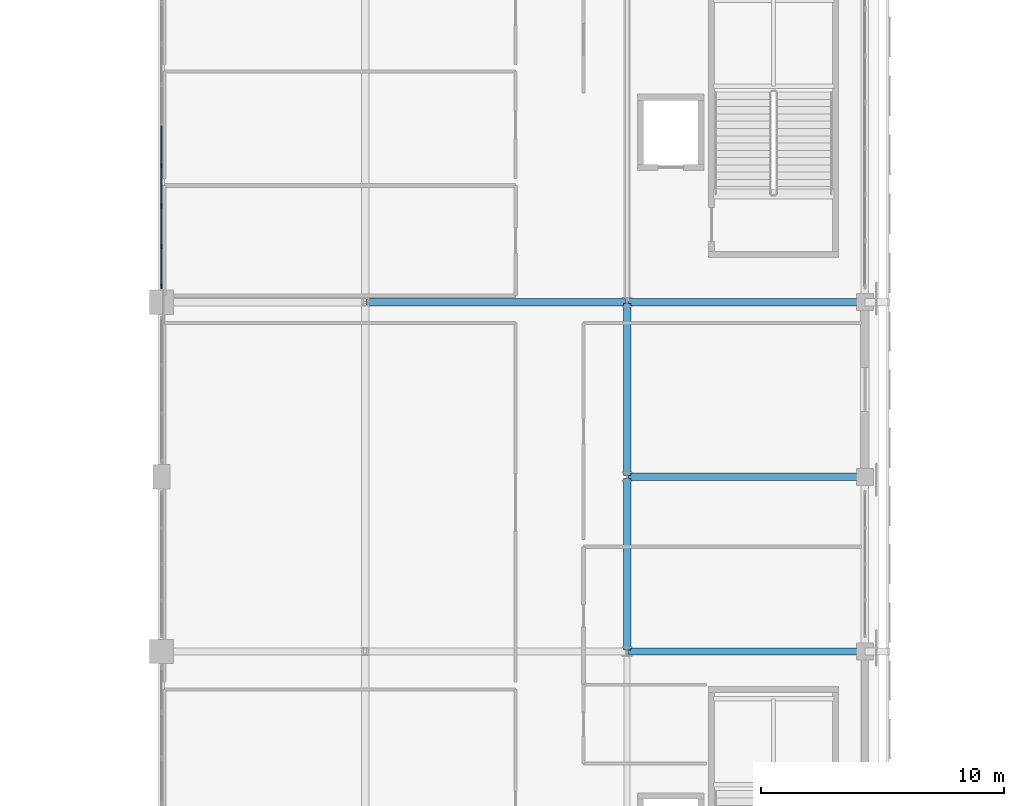
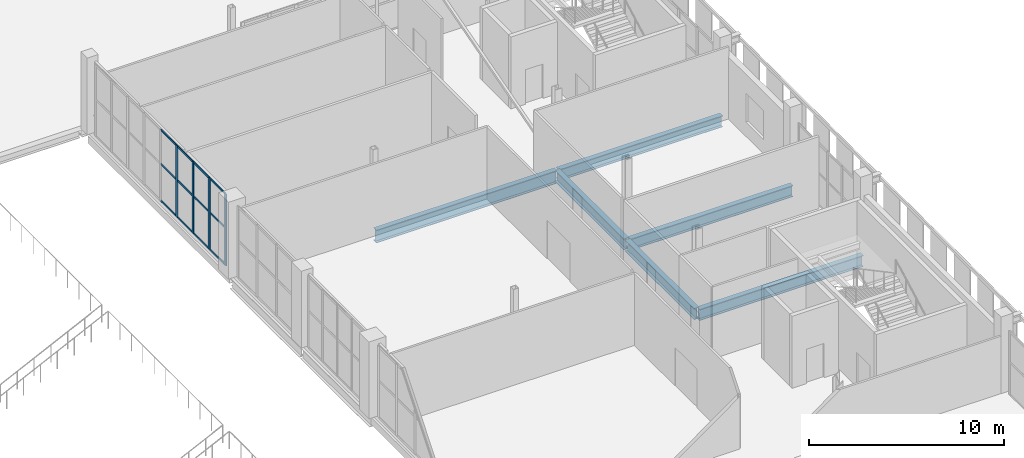
# One storey, part 46 of 104: 16 members, 6 beams, 1 element without a shape of its own.
"""IFC4 building model written with IfcOpenShell, lengths in metres."""

from ifc_helpers import new_model, si_unit, direction, frame, origin, origin_2d, place, context, subcontext, project, spatial, rectangle, i_section, extrude, material, material_profile, profile_set, type_object, element, aggregate, save


model = new_model("IFC4")

# Units and contexts
model_context = context("Model", 3, precision=1e-05, world=origin(), true_north=direction((0.0, 1.0)))
body_context = subcontext(model_context, "Body", "Model", "MODEL_VIEW")
ifc_project = project(units=[si_unit("LENGTHUNIT", "METRE"), si_unit("AREAUNIT", "SQUARE_METRE"), si_unit("VOLUMEUNIT", "CUBIC_METRE"), si_unit("PLANEANGLEUNIT", "RADIAN"), si_unit("MASSUNIT", "GRAM", prefix="KILO")], contexts=[model_context])

# Site, building, storey
site_placement = place(None, origin())
site = spatial("IfcSite", under=ifc_project, at=site_placement, CompositionType="ELEMENT")
building_placement = place(site_placement, origin())
building = spatial("IfcBuilding", under=site, at=building_placement, Name="Koshinbarg Plaza Stadium", CompositionType="ELEMENT")
storey_placement = place(building_placement, frame((0.0, 0.0, 19.800048828125)))
storey = spatial("IfcBuildingStorey", under=building, at=storey_placement, Name="L04", CompositionType="ELEMENT", Elevation=19.800048828125)

# Beams
ifc_material_1 = material(Name="Steel S355", Category="steel")
ifc_material_profile_1 = material_profile(ifc_material_1, i_section(OverallWidth=0.300048828125, OverallDepth=0.699951171875, WebThickness=0.01708984375, FlangeThickness=0.031982421875, at=origin_2d()), Name="HEB 700")
ifc_profile_set_1 = profile_set([ifc_material_profile_1], Name="Steel S355")
beam_type_1 = type_object("IfcBeamType", Name="BM-SGIR-03", PredefinedType="USERDEFINED", material=ifc_profile_set_1)
for number, where, z_axis, x_axis, name in (
    (1, (208.659912109375, 97.5, -0.650146484375), (1.0, 0.0, 0.0), (0.0, 1.0, 0.0), "L04 X girder N/20-21"),
    (2, (208.659912109375, 104.699951171875, -0.650146484375), (1.0, 0.0, 0.0), (0.0, 1.0, 0.0), "L04 X girder P/20-21"),
    (3, (208.659912109375, 111.89990234375, -0.650146484375), (1.0, 0.0, 0.0), (0.0, 1.0, 0.0), "L04 X girder Q/20-21"),
):
    element("IfcBeam", number, at=place(storey_placement, frame(where, z_axis=z_axis, x_axis=x_axis)), inside=storey, type_object=beam_type_1, Name=name, ObjectType="GIRDER", PredefinedType="USERDEFINED", context=body_context, shape_type="SweptSolid", body=[
        extrude(i_section(OverallWidth=0.300048828125, OverallDepth=0.699951171875, WebThickness=0.01708984375, FlangeThickness=0.031982421875, at=origin_2d()), origin(), (0.0, 0.0, 1.0), 9.68017578125),
    ])
beam_1_placement = place(storey_placement, frame((208.60009765625, 97.56005859375, -0.650146484375), z_axis=(0.0, 1.0, 0.0), x_axis=(-1.0, 0.0, 0.0)))
element("IfcBeam", 4, at=beam_1_placement, inside=storey, type_object=beam_type_1, Name="L04 Y girder 20/N-P", ObjectType="GIRDER", PredefinedType="USERDEFINED", context=body_context, shape_type="SweptSolid", body=[
    extrude(i_section(OverallWidth=0.300048828125, OverallDepth=0.699951171875, WebThickness=0.01708984375, FlangeThickness=0.031982421875, at=origin_2d()), origin(), (0.0, 0.0, 1.0), 7.079833984375),
])
beam_2_placement = place(storey_placement, frame((208.60009765625, 104.760009765625, -0.650146484375), z_axis=(0.0, 1.0, 0.0), x_axis=(-1.0, 0.0, 0.0)))
element("IfcBeam", 5, at=beam_2_placement, inside=storey, type_object=beam_type_1, Name="L04 Y girder 20/P-Q", ObjectType="GIRDER", PredefinedType="USERDEFINED", context=body_context, shape_type="SweptSolid", body=[
    extrude(i_section(OverallWidth=0.300048828125, OverallDepth=0.699951171875, WebThickness=0.01708984375, FlangeThickness=0.031982421875, at=origin_2d()), origin(), (0.0, 0.0, 1.0), 7.080078125),
])
ifc_material_profile_2 = material_profile(ifc_material_1, i_section(OverallWidth=0.300048828125, OverallDepth=0.800048828125, WebThickness=0.017578125, FlangeThickness=0.032958984375, at=origin_2d()), Name="HEB 800")
ifc_profile_set_2 = profile_set([ifc_material_profile_2], Name="Steel S355")
beam_type_2 = type_object("IfcBeamType", Name="BM-SGIR-04", PredefinedType="USERDEFINED", material=ifc_profile_set_2)
beam_3_placement = place(storey_placement, frame((197.860107421875, 111.89990234375, -0.699951171875), z_axis=(1.0, 0.0, 0.0), x_axis=(0.0, 1.0, 0.0)))
element("IfcBeam", 6, at=beam_3_placement, inside=storey, type_object=beam_type_2, Name="L04 X girder Q/19-20", ObjectType="GIRDER", PredefinedType="USERDEFINED", context=body_context, shape_type="SweptSolid", body=[
    extrude(i_section(OverallWidth=0.300048828125, OverallDepth=0.800048828125, WebThickness=0.017578125, FlangeThickness=0.032958984375, at=origin_2d()), origin(), (0.0, 0.0, 1.0), 10.679931640625),
])

# Curtain wall, members
ifc_material_2 = material(Name="Thermally broken anodised aluminium and low-E double glazing", Category="aluminium")
curtain_wall_type = type_object("IfcCurtainWallType", Name="CW-SYS-03", PredefinedType="NOTDEFINED", material=ifc_material_2)
curtain_wall_placement = place(storey_placement, origin())
curtain_wall = element("IfcCurtainWall", 7, at=curtain_wall_placement, inside=storey, type_object=curtain_wall_type, Name="L04 unitised curtain wall CW-L04-130", PredefinedType="NOTDEFINED")
ifc_material_3 = material(Name="Anodised aluminium mullion", Category="aluminium")
ifc_material_profile_3 = material_profile(ifc_material_3, rectangle(XDim=0.070068359375, YDim=0.179931640625, at=origin_2d()), Name="ALU 70x180")
ifc_profile_set_3 = profile_set([ifc_material_profile_3], Name="Anodised aluminium mullion")
member_type_1 = type_object("IfcMemberType", Name="CW-MUL-03", PredefinedType="MULLION", material=ifc_profile_set_3)
member_1_placement = place(storey_placement, frame((189.39990234375, 112.550048828125, 0.0), z_axis=(0.0, 0.0, 1.0), x_axis=(-1.0, 0.0, 0.0)))
member_1 = element("IfcMember", 8, at=member_1_placement, type_object=member_type_1, Name="CW03 mullion 1", PredefinedType="MULLION", context=body_context, shape_type="SweptSolid", body=[
    extrude(rectangle(XDim=0.070068359375, YDim=0.179931640625, at=origin_2d()), origin(), (0.0, 0.0, 1.0), 4.47998046875),
])
member_2_placement = place(storey_placement, frame((189.39990234375, 114.18994140625, 0.0), z_axis=(0.0, 0.0, 1.0), x_axis=(-1.0, 0.0, 0.0)))
member_2 = element("IfcMember", 9, at=member_2_placement, type_object=member_type_1, Name="CW03 mullion 2", PredefinedType="MULLION", context=body_context, shape_type="SweptSolid", body=[
    extrude(rectangle(XDim=0.070068359375, YDim=0.179931640625, at=origin_2d()), origin(), (0.0, 0.0, 1.0), 4.47998046875),
])
member_3_placement = place(storey_placement, frame((189.39990234375, 115.860107421875, 0.0), z_axis=(0.0, 0.0, 1.0), x_axis=(-1.0, 0.0, 0.0)))
member_3 = element("IfcMember", 10, at=member_3_placement, type_object=member_type_1, Name="CW03 mullion 3", PredefinedType="MULLION", context=body_context, shape_type="SweptSolid", body=[
    extrude(rectangle(XDim=0.070068359375, YDim=0.179931640625, at=origin_2d()), origin(), (0.0, 0.0, 1.0), 4.47998046875),
])
member_4_placement = place(storey_placement, frame((189.39990234375, 117.530029296875, 0.0), z_axis=(0.0, 0.0, 1.0), x_axis=(-1.0, 0.0, 0.0)))
member_4 = element("IfcMember", 11, at=member_4_placement, type_object=member_type_1, Name="CW03 mullion 4", PredefinedType="MULLION", context=body_context, shape_type="SweptSolid", body=[
    extrude(rectangle(XDim=0.070068359375, YDim=0.179931640625, at=origin_2d()), origin(), (0.0, 0.0, 1.0), 4.47998046875),
])
ifc_material_4 = material(Name="Anodised aluminium transom", Category="aluminium")
ifc_material_profile_4 = material_profile(ifc_material_4, rectangle(XDim=0.06005859375, YDim=0.110107421875, at=origin_2d()), Name="ALU 60x110")
ifc_profile_set_4 = profile_set([ifc_material_profile_4], Name="Anodised aluminium transom")
member_type_2 = type_object("IfcMemberType", Name="CW-TRN-01", PredefinedType="USERDEFINED", material=ifc_profile_set_4)
member_5_placement = place(storey_placement, frame((189.39990234375, 112.580078125, 0.030029296875), z_axis=(0.0, 1.0, 0.0), x_axis=(-1.0, 0.0, 0.0)))
member_5 = element("IfcMember", 12, at=member_5_placement, type_object=member_type_2, Name="CW03 transom 1.1", ObjectType="TRANSOM", PredefinedType="USERDEFINED", context=body_context, shape_type="SweptSolid", body=[
    extrude(rectangle(XDim=0.06005859375, YDim=0.110107421875, at=origin_2d()), origin(), (0.0, 0.0, 1.0), 1.579833984375),
])
member_6_placement = place(storey_placement, frame((189.39990234375, 112.580078125, 2.32958984375), z_axis=(0.0, 1.0, 0.0), x_axis=(-1.0, 0.0, 0.0)))
member_6 = element("IfcMember", 13, at=member_6_placement, type_object=member_type_2, Name="CW03 transom 1.2", ObjectType="TRANSOM", PredefinedType="USERDEFINED", context=body_context, shape_type="SweptSolid", body=[
    extrude(rectangle(XDim=0.06005859375, YDim=0.110107421875, at=origin_2d()), origin(), (0.0, 0.0, 1.0), 1.579833984375),
])
member_7_placement = place(storey_placement, frame((189.39990234375, 112.580078125, 4.449951171875), z_axis=(0.0, 1.0, 0.0), x_axis=(-1.0, 0.0, 0.0)))
member_7 = element("IfcMember", 14, at=member_7_placement, type_object=member_type_2, Name="CW03 transom 1.3", ObjectType="TRANSOM", PredefinedType="USERDEFINED", context=body_context, shape_type="SweptSolid", body=[
    extrude(rectangle(XDim=0.06005859375, YDim=0.110107421875, at=origin_2d()), origin(), (0.0, 0.0, 1.0), 1.579833984375),
])
member_8_placement = place(storey_placement, frame((189.39990234375, 114.219970703125, 0.030029296875), z_axis=(0.0, 1.0, 0.0), x_axis=(-1.0, 0.0, 0.0)))
member_8 = element("IfcMember", 15, at=member_8_placement, type_object=member_type_2, Name="CW03 transom 2.1", ObjectType="TRANSOM", PredefinedType="USERDEFINED", context=body_context, shape_type="SweptSolid", body=[
    extrude(rectangle(XDim=0.06005859375, YDim=0.110107421875, at=origin_2d()), origin(), (0.0, 0.0, 1.0), 1.610107421875),
])
member_9_placement = place(storey_placement, frame((189.39990234375, 114.219970703125, 2.32958984375), z_axis=(0.0, 1.0, 0.0), x_axis=(-1.0, 0.0, 0.0)))
member_9 = element("IfcMember", 16, at=member_9_placement, type_object=member_type_2, Name="CW03 transom 2.2", ObjectType="TRANSOM", PredefinedType="USERDEFINED", context=body_context, shape_type="SweptSolid", body=[
    extrude(rectangle(XDim=0.06005859375, YDim=0.110107421875, at=origin_2d()), origin(), (0.0, 0.0, 1.0), 1.610107421875),
])
member_10_placement = place(storey_placement, frame((189.39990234375, 114.219970703125, 4.449951171875), z_axis=(0.0, 1.0, 0.0), x_axis=(-1.0, 0.0, 0.0)))
member_10 = element("IfcMember", 17, at=member_10_placement, type_object=member_type_2, Name="CW03 transom 2.3", ObjectType="TRANSOM", PredefinedType="USERDEFINED", context=body_context, shape_type="SweptSolid", body=[
    extrude(rectangle(XDim=0.06005859375, YDim=0.110107421875, at=origin_2d()), origin(), (0.0, 0.0, 1.0), 1.610107421875),
])
member_11_placement = place(storey_placement, frame((189.39990234375, 115.889892578125, 0.030029296875), z_axis=(0.0, 1.0, 0.0), x_axis=(-1.0, 0.0, 0.0)))
member_11 = element("IfcMember", 18, at=member_11_placement, type_object=member_type_2, Name="CW03 transom 3.1", ObjectType="TRANSOM", PredefinedType="USERDEFINED", context=body_context, shape_type="SweptSolid", body=[
    extrude(rectangle(XDim=0.06005859375, YDim=0.110107421875, at=origin_2d()), origin(), (0.0, 0.0, 1.0), 1.610107421875),
])
member_12_placement = place(storey_placement, frame((189.39990234375, 115.889892578125, 2.32958984375), z_axis=(0.0, 1.0, 0.0), x_axis=(-1.0, 0.0, 0.0)))
member_12 = element("IfcMember", 19, at=member_12_placement, type_object=member_type_2, Name="CW03 transom 3.2", ObjectType="TRANSOM", PredefinedType="USERDEFINED", context=body_context, shape_type="SweptSolid", body=[
    extrude(rectangle(XDim=0.06005859375, YDim=0.110107421875, at=origin_2d()), origin(), (0.0, 0.0, 1.0), 1.610107421875),
])
member_13_placement = place(storey_placement, frame((189.39990234375, 115.889892578125, 4.449951171875), z_axis=(0.0, 1.0, 0.0), x_axis=(-1.0, 0.0, 0.0)))
member_13 = element("IfcMember", 20, at=member_13_placement, type_object=member_type_2, Name="CW03 transom 3.3", ObjectType="TRANSOM", PredefinedType="USERDEFINED", context=body_context, shape_type="SweptSolid", body=[
    extrude(rectangle(XDim=0.06005859375, YDim=0.110107421875, at=origin_2d()), origin(), (0.0, 0.0, 1.0), 1.610107421875),
])
member_14_placement = place(storey_placement, frame((189.39990234375, 117.56005859375, 0.030029296875), z_axis=(0.0, 1.0, 0.0), x_axis=(-1.0, 0.0, 0.0)))
member_14 = element("IfcMember", 21, at=member_14_placement, type_object=member_type_2, Name="CW03 transom 4.1", ObjectType="TRANSOM", PredefinedType="USERDEFINED", context=body_context, shape_type="SweptSolid", body=[
    extrude(rectangle(XDim=0.06005859375, YDim=0.110107421875, at=origin_2d()), origin(), (0.0, 0.0, 1.0), 1.60986328125),
])
member_15_placement = place(storey_placement, frame((189.39990234375, 117.56005859375, 2.32958984375), z_axis=(0.0, 1.0, 0.0), x_axis=(-1.0, 0.0, 0.0)))
member_15 = element("IfcMember", 22, at=member_15_placement, type_object=member_type_2, Name="CW03 transom 4.2", ObjectType="TRANSOM", PredefinedType="USERDEFINED", context=body_context, shape_type="SweptSolid", body=[
    extrude(rectangle(XDim=0.06005859375, YDim=0.110107421875, at=origin_2d()), origin(), (0.0, 0.0, 1.0), 1.60986328125),
])
member_16_placement = place(storey_placement, frame((189.39990234375, 117.56005859375, 4.449951171875), z_axis=(0.0, 1.0, 0.0), x_axis=(-1.0, 0.0, 0.0)))
member_16 = element("IfcMember", 23, at=member_16_placement, type_object=member_type_2, Name="CW03 transom 4.3", ObjectType="TRANSOM", PredefinedType="USERDEFINED", context=body_context, shape_type="SweptSolid", body=[
    extrude(rectangle(XDim=0.06005859375, YDim=0.110107421875, at=origin_2d()), origin(), (0.0, 0.0, 1.0), 1.60986328125),
])
aggregate(curtain_wall, [member_1, member_2, member_3, member_4, member_5, member_6, member_7, member_8, member_9, member_10, member_11, member_12, member_13, member_14, member_15, member_16])

save(model, "model.ifc")
